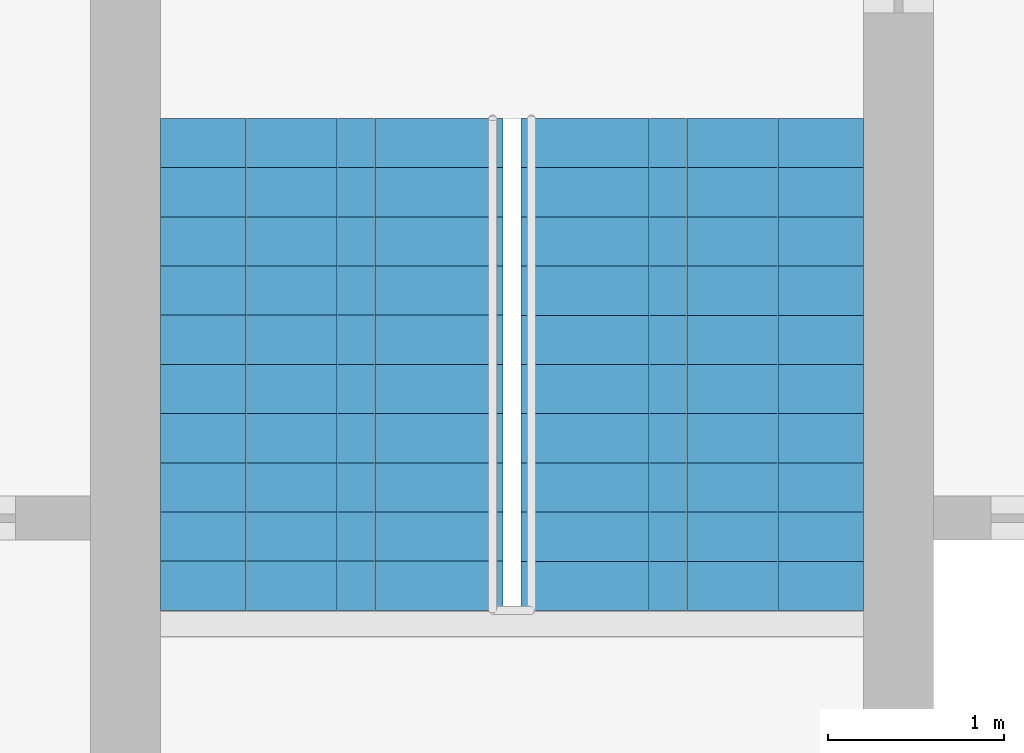
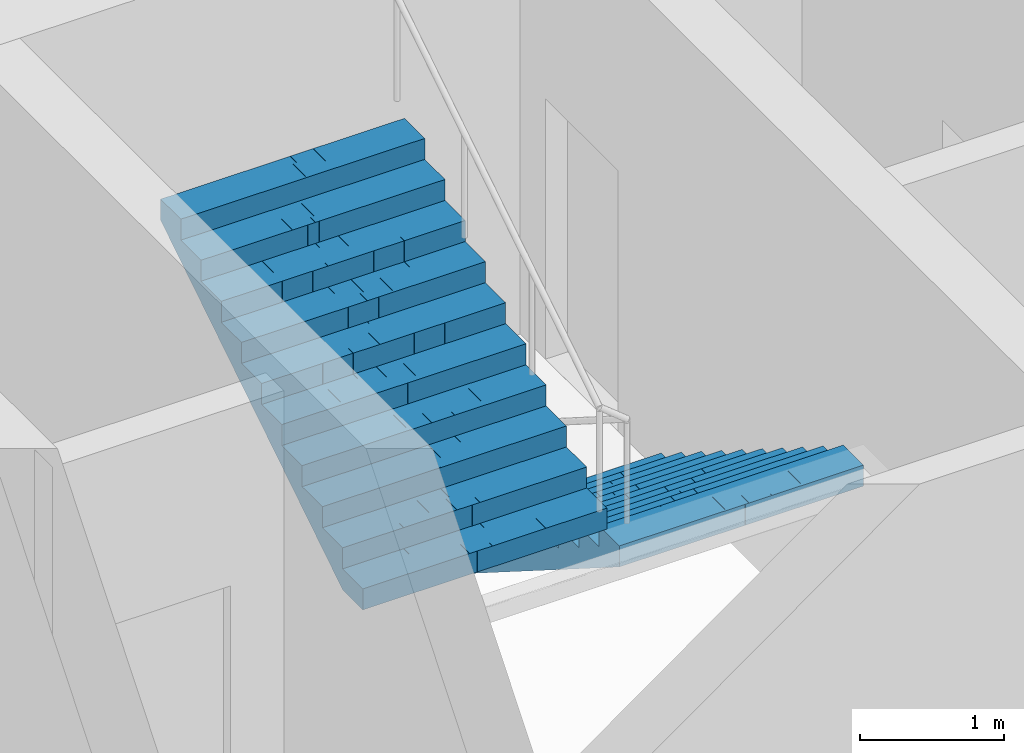
# One storey, part 21 of 22: 2 stair flights, 1 element without a shape of its own.
"""IFC4 building model written with IfcOpenShell, lengths in metres."""

from ifc_helpers import new_model, si_unit, direction, frame, origin, place, context, subcontext, project, spatial, polyline, outline, extrude, material, type_object, element, aggregate, save


model = new_model("IFC4")

# Units and contexts
model_context = context("Model", 3, precision=1e-05, world=origin(), true_north=direction((0.0, 1.0)))
body_context = subcontext(model_context, "Body", "Model", "MODEL_VIEW")
ifc_project = project(units=[si_unit("LENGTHUNIT", "METRE"), si_unit("AREAUNIT", "SQUARE_METRE"), si_unit("VOLUMEUNIT", "CUBIC_METRE"), si_unit("PLANEANGLEUNIT", "RADIAN"), si_unit("MASSUNIT", "GRAM", prefix="KILO")], contexts=[model_context])

# Site, building, storey
site_placement = place(None, origin())
site = spatial("IfcSite", under=ifc_project, at=site_placement, CompositionType="ELEMENT")
building_placement = place(site_placement, origin())
building = spatial("IfcBuilding", under=site, at=building_placement, Name="Mizan Broadcast Tower", CompositionType="ELEMENT")
storey_placement = place(building_placement, frame((0.0, 0.0, 59.10009765625)))
storey = spatial("IfcBuildingStorey", under=building, at=storey_placement, Name="L11", CompositionType="ELEMENT", Elevation=59.10009765625)

# Stair, stair flights
ifc_material_1 = material(Name="Concrete C40/50", Category="concrete")
stair_type = type_object("IfcStairType", Name="EXIT STAIR", PredefinedType="HALF_TURN_STAIR", material=ifc_material_1)
stair_placement = place(storey_placement, origin())
stair = element("IfcStair", 1, at=stair_placement, inside=storey, type_object=stair_type, Name="Stair B L11", PredefinedType="HALF_TURN_STAIR")
ifc_material_2 = material(Name="Concrete C40/50", Category="concrete")
stair_flight_type = type_object("IfcStairFlightType", Name="EXIT STAIR FLIGHT", PredefinedType="STRAIGHT", material=ifc_material_2)
stair_flight_1_placement = place(storey_placement, frame((1.02490234375, 7.89990234375, 0.0), z_axis=(0.0, 0.0, 1.0), x_axis=(0.0, -1.0, 0.0)))
stair_flight_1 = element("IfcStairFlight", 2, at=stair_flight_1_placement, type_object=stair_flight_type, Name="B flight 1", NumberOfRisers=11, NumberOfTreads=10, PredefinedType="STRAIGHT", RiserHeight=0.177272727, TreadLength=0.28, context=body_context, shape_type="SweptSolid", body=[
    extrude(outline(polyline([(0.0, 0.0), (0.0, 0.17724609375), (0.280029296875, 0.17724609375), (0.280029296875, 0.3544921875), (0.56005859375, 0.3544921875), (0.56005859375, 0.53173828125), (0.840087890625, 0.53173828125), (0.840087890625, 0.708984375), (1.1201171875, 0.708984375), (1.1201171875, 0.886474609375), (1.39990234375, 0.886474609375), (1.39990234375, 1.063720703125), (1.679931640625, 1.063720703125), (1.679931640625, 1.240966796875), (1.9599609375, 1.240966796875), (1.9599609375, 1.418212890625), (2.239990234375, 1.418212890625), (2.239990234375, 1.595458984375), (2.52001953125, 1.595458984375), (2.52001953125, 1.772705078125), (2.800048828125, 1.772705078125), (2.800048828125, 1.949951171875), (2.800048828125, 1.59521484375), (0.2802734375, 0.0), (0.0, 0.0)])), frame((0.0, 0.97509765625, 0.0), z_axis=(0.0, -1.0, 0.0), x_axis=(1.0, 0.0, 0.0)), (0.0, 0.0, 1.0), 0.4873046875),
    extrude(outline(polyline([(0.0, 0.0), (0.0, 0.17724609375), (0.280029296875, 0.17724609375), (0.280029296875, 0.3544921875), (0.56005859375, 0.3544921875), (0.56005859375, 0.53173828125), (0.840087890625, 0.53173828125), (0.840087890625, 0.708984375), (1.1201171875, 0.708984375), (1.1201171875, 0.886474609375), (1.39990234375, 0.886474609375), (1.39990234375, 1.063720703125), (1.679931640625, 1.063720703125), (1.679931640625, 1.240966796875), (1.9599609375, 1.240966796875), (1.9599609375, 1.418212890625), (2.239990234375, 1.418212890625), (2.239990234375, 1.595458984375), (2.52001953125, 1.595458984375), (2.52001953125, 1.772705078125), (2.800048828125, 1.772705078125), (2.800048828125, 1.949951171875), (2.800048828125, 1.59521484375), (0.2802734375, 0.0), (0.0, 0.0)])), frame((0.0, 0.4873046875, 0.0), z_axis=(0.0, -1.0, 0.0), x_axis=(1.0, 0.0, 0.0)), (0.0, 0.0, 1.0), 0.2431640625),
    extrude(outline(polyline([(0.0, 0.0), (0.0, 0.17724609375), (0.280029296875, 0.17724609375), (0.280029296875, 0.3544921875), (0.56005859375, 0.3544921875), (0.56005859375, 0.53173828125), (0.840087890625, 0.53173828125), (0.840087890625, 0.708984375), (1.1201171875, 0.708984375), (1.1201171875, 0.886474609375), (1.39990234375, 0.886474609375), (1.39990234375, 1.063720703125), (1.679931640625, 1.063720703125), (1.679931640625, 1.240966796875), (1.9599609375, 1.240966796875), (1.9599609375, 1.418212890625), (2.239990234375, 1.418212890625), (2.239990234375, 1.595458984375), (2.52001953125, 1.595458984375), (2.52001953125, 1.772705078125), (2.800048828125, 1.772705078125), (2.800048828125, 1.949951171875), (2.800048828125, 1.59521484375), (0.2802734375, 0.0), (0.0, 0.0)])), frame((0.0, 0.24365234375, 0.0), z_axis=(0.0, -1.0, 0.0), x_axis=(1.0, 0.0, 0.0)), (0.0, 0.0, 1.0), 0.121337890625),
    extrude(outline(polyline([(0.0, 0.0), (0.0, 0.17724609375), (0.280029296875, 0.17724609375), (0.280029296875, 0.3544921875), (0.56005859375, 0.3544921875), (0.56005859375, 0.53173828125), (0.840087890625, 0.53173828125), (0.840087890625, 0.708984375), (1.1201171875, 0.708984375), (1.1201171875, 0.886474609375), (1.39990234375, 0.886474609375), (1.39990234375, 1.063720703125), (1.679931640625, 1.063720703125), (1.679931640625, 1.240966796875), (1.9599609375, 1.240966796875), (1.9599609375, 1.418212890625), (2.239990234375, 1.418212890625), (2.239990234375, 1.595458984375), (2.52001953125, 1.595458984375), (2.52001953125, 1.772705078125), (2.800048828125, 1.772705078125), (2.800048828125, 1.949951171875), (2.800048828125, 1.59521484375), (0.2802734375, 0.0), (0.0, 0.0)])), frame((0.0, 0.121826171875, 0.0), z_axis=(0.0, -1.0, 0.0), x_axis=(1.0, 0.0, 0.0)), (0.0, 0.0, 1.0), 0.060546875),
    extrude(outline(polyline([(0.0, 0.0), (0.0, 0.17724609375), (0.280029296875, 0.17724609375), (0.280029296875, 0.3544921875), (0.56005859375, 0.3544921875), (0.56005859375, 0.53173828125), (0.840087890625, 0.53173828125), (0.840087890625, 0.708984375), (1.1201171875, 0.708984375), (1.1201171875, 0.886474609375), (1.39990234375, 0.886474609375), (1.39990234375, 1.063720703125), (1.679931640625, 1.063720703125), (1.679931640625, 1.240966796875), (1.9599609375, 1.240966796875), (1.9599609375, 1.418212890625), (2.239990234375, 1.418212890625), (2.239990234375, 1.595458984375), (2.52001953125, 1.595458984375), (2.52001953125, 1.772705078125), (2.800048828125, 1.772705078125), (2.800048828125, 1.949951171875), (2.800048828125, 1.59521484375), (0.2802734375, 0.0), (0.0, 0.0)])), frame((0.0, 0.060791015625, 0.0), z_axis=(0.0, -1.0, 0.0), x_axis=(1.0, 0.0, 0.0)), (0.0, 0.0, 1.0), 0.030029296875),
    extrude(outline(polyline([(0.0, 0.0), (0.0, 0.17724609375), (0.280029296875, 0.17724609375), (0.280029296875, 0.3544921875), (0.56005859375, 0.3544921875), (0.56005859375, 0.53173828125), (0.840087890625, 0.53173828125), (0.840087890625, 0.708984375), (1.1201171875, 0.708984375), (1.1201171875, 0.886474609375), (1.39990234375, 0.886474609375), (1.39990234375, 1.063720703125), (1.679931640625, 1.063720703125), (1.679931640625, 1.240966796875), (1.9599609375, 1.240966796875), (1.9599609375, 1.418212890625), (2.239990234375, 1.418212890625), (2.239990234375, 1.595458984375), (2.52001953125, 1.595458984375), (2.52001953125, 1.772705078125), (2.800048828125, 1.772705078125), (2.800048828125, 1.949951171875), (2.800048828125, 1.59521484375), (0.2802734375, 0.0), (0.0, 0.0)])), frame((0.0, 0.0302734375, 0.0), z_axis=(0.0, -1.0, 0.0), x_axis=(1.0, 0.0, 0.0)), (0.0, 0.0, 1.0), 0.060302734375),
    extrude(outline(polyline([(0.0, 0.0), (0.0, 0.17724609375), (0.280029296875, 0.17724609375), (0.280029296875, 0.3544921875), (0.56005859375, 0.3544921875), (0.56005859375, 0.53173828125), (0.840087890625, 0.53173828125), (0.840087890625, 0.708984375), (1.1201171875, 0.708984375), (1.1201171875, 0.886474609375), (1.39990234375, 0.886474609375), (1.39990234375, 1.063720703125), (1.679931640625, 1.063720703125), (1.679931640625, 1.240966796875), (1.9599609375, 1.240966796875), (1.9599609375, 1.418212890625), (2.239990234375, 1.418212890625), (2.239990234375, 1.595458984375), (2.52001953125, 1.595458984375), (2.52001953125, 1.772705078125), (2.800048828125, 1.772705078125), (2.800048828125, 1.949951171875), (2.800048828125, 1.59521484375), (0.2802734375, 0.0), (0.0, 0.0)])), frame((0.0, -0.030517578125, 0.0), z_axis=(0.0, -1.0, 0.0), x_axis=(1.0, 0.0, 0.0)), (0.0, 0.0, 1.0), 0.030029296875),
    extrude(outline(polyline([(0.0, 0.0), (0.0, 0.17724609375), (0.280029296875, 0.17724609375), (0.280029296875, 0.3544921875), (0.56005859375, 0.3544921875), (0.56005859375, 0.53173828125), (0.840087890625, 0.53173828125), (0.840087890625, 0.708984375), (1.1201171875, 0.708984375), (1.1201171875, 0.886474609375), (1.39990234375, 0.886474609375), (1.39990234375, 1.063720703125), (1.679931640625, 1.063720703125), (1.679931640625, 1.240966796875), (1.9599609375, 1.240966796875), (1.9599609375, 1.418212890625), (2.239990234375, 1.418212890625), (2.239990234375, 1.595458984375), (2.52001953125, 1.595458984375), (2.52001953125, 1.772705078125), (2.800048828125, 1.772705078125), (2.800048828125, 1.949951171875), (2.800048828125, 1.59521484375), (0.2802734375, 0.0), (0.0, 0.0)])), frame((0.0, -0.06103515625, 0.0), z_axis=(0.0, -1.0, 0.0), x_axis=(1.0, 0.0, 0.0)), (0.0, 0.0, 1.0), 0.060546875),
    extrude(outline(polyline([(0.0, 0.0), (0.0, 0.17724609375), (0.280029296875, 0.17724609375), (0.280029296875, 0.3544921875), (0.56005859375, 0.3544921875), (0.56005859375, 0.53173828125), (0.840087890625, 0.53173828125), (0.840087890625, 0.708984375), (1.1201171875, 0.708984375), (1.1201171875, 0.886474609375), (1.39990234375, 0.886474609375), (1.39990234375, 1.063720703125), (1.679931640625, 1.063720703125), (1.679931640625, 1.240966796875), (1.9599609375, 1.240966796875), (1.9599609375, 1.418212890625), (2.239990234375, 1.418212890625), (2.239990234375, 1.595458984375), (2.52001953125, 1.595458984375), (2.52001953125, 1.772705078125), (2.800048828125, 1.772705078125), (2.800048828125, 1.949951171875), (2.800048828125, 1.59521484375), (0.2802734375, 0.0), (0.0, 0.0)])), frame((0.0, -0.1220703125, 0.0), z_axis=(0.0, -1.0, 0.0), x_axis=(1.0, 0.0, 0.0)), (0.0, 0.0, 1.0), 0.121337890625),
    extrude(outline(polyline([(0.0, 0.0), (0.0, 0.17724609375), (0.280029296875, 0.17724609375), (0.280029296875, 0.3544921875), (0.56005859375, 0.3544921875), (0.56005859375, 0.53173828125), (0.840087890625, 0.53173828125), (0.840087890625, 0.708984375), (1.1201171875, 0.708984375), (1.1201171875, 0.886474609375), (1.39990234375, 0.886474609375), (1.39990234375, 1.063720703125), (1.679931640625, 1.063720703125), (1.679931640625, 1.240966796875), (1.9599609375, 1.240966796875), (1.9599609375, 1.418212890625), (2.239990234375, 1.418212890625), (2.239990234375, 1.595458984375), (2.52001953125, 1.595458984375), (2.52001953125, 1.772705078125), (2.800048828125, 1.772705078125), (2.800048828125, 1.949951171875), (2.800048828125, 1.59521484375), (0.2802734375, 0.0), (0.0, 0.0)])), frame((0.0, -0.243896484375, 0.0), z_axis=(0.0, -1.0, 0.0), x_axis=(1.0, 0.0, 0.0)), (0.0, 0.0, 1.0), 0.2431640625),
    extrude(outline(polyline([(0.0, 0.0), (0.0, 0.17724609375), (0.280029296875, 0.17724609375), (0.280029296875, 0.3544921875), (0.56005859375, 0.3544921875), (0.56005859375, 0.53173828125), (0.840087890625, 0.53173828125), (0.840087890625, 0.708984375), (1.1201171875, 0.708984375), (1.1201171875, 0.886474609375), (1.39990234375, 0.886474609375), (1.39990234375, 1.063720703125), (1.679931640625, 1.063720703125), (1.679931640625, 1.240966796875), (1.9599609375, 1.240966796875), (1.9599609375, 1.418212890625), (2.239990234375, 1.418212890625), (2.239990234375, 1.595458984375), (2.52001953125, 1.595458984375), (2.52001953125, 1.772705078125), (2.800048828125, 1.772705078125), (2.800048828125, 1.949951171875), (2.800048828125, 1.59521484375), (0.2802734375, 0.0), (0.0, 0.0)])), frame((0.0, -0.487548828125, 0.0), z_axis=(0.0, -1.0, 0.0), x_axis=(1.0, 0.0, 0.0)), (0.0, 0.0, 1.0), 0.4873046875),
])
stair_flight_2_placement = place(storey_placement, frame((-1.02490234375, 5.10009765625, 1.949951171875), z_axis=(0.0, 0.0, 1.0), x_axis=(0.0, 1.0, 0.0)))
stair_flight_2 = element("IfcStairFlight", 3, at=stair_flight_2_placement, type_object=stair_flight_type, Name="B flight 2", NumberOfRisers=11, NumberOfTreads=10, PredefinedType="STRAIGHT", RiserHeight=0.177272727, TreadLength=0.28, context=body_context, shape_type="SweptSolid", body=[
    extrude(outline(polyline([(0.0, 0.0), (0.0, 0.17724609375), (0.280029296875, 0.17724609375), (0.280029296875, 0.3544921875), (0.56005859375, 0.3544921875), (0.56005859375, 0.53173828125), (0.840087890625, 0.53173828125), (0.840087890625, 0.708984375), (1.1201171875, 0.708984375), (1.1201171875, 0.886474609375), (1.39990234375, 0.886474609375), (1.39990234375, 1.063720703125), (1.679931640625, 1.063720703125), (1.679931640625, 1.240966796875), (1.9599609375, 1.240966796875), (1.9599609375, 1.418212890625), (2.239990234375, 1.418212890625), (2.239990234375, 1.595458984375), (2.52001953125, 1.595458984375), (2.52001953125, 1.772705078125), (2.800048828125, 1.772705078125), (2.800048828125, 1.949951171875), (2.800048828125, 1.59521484375), (0.2802734375, 0.0), (0.0, 0.0)])), frame((0.0, 0.97509765625, 0.0), z_axis=(0.0, -1.0, 0.0), x_axis=(1.0, 0.0, 0.0)), (0.0, 0.0, 1.0), 0.4873046875),
    extrude(outline(polyline([(0.0, 0.0), (0.0, 0.17724609375), (0.280029296875, 0.17724609375), (0.280029296875, 0.3544921875), (0.56005859375, 0.3544921875), (0.56005859375, 0.53173828125), (0.840087890625, 0.53173828125), (0.840087890625, 0.708984375), (1.1201171875, 0.708984375), (1.1201171875, 0.886474609375), (1.39990234375, 0.886474609375), (1.39990234375, 1.063720703125), (1.679931640625, 1.063720703125), (1.679931640625, 1.240966796875), (1.9599609375, 1.240966796875), (1.9599609375, 1.418212890625), (2.239990234375, 1.418212890625), (2.239990234375, 1.595458984375), (2.52001953125, 1.595458984375), (2.52001953125, 1.772705078125), (2.800048828125, 1.772705078125), (2.800048828125, 1.949951171875), (2.800048828125, 1.59521484375), (0.2802734375, 0.0), (0.0, 0.0)])), frame((0.0, 0.4873046875, 0.0), z_axis=(0.0, -1.0, 0.0), x_axis=(1.0, 0.0, 0.0)), (0.0, 0.0, 1.0), 0.2431640625),
    extrude(outline(polyline([(0.0, 0.0), (0.0, 0.17724609375), (0.280029296875, 0.17724609375), (0.280029296875, 0.3544921875), (0.56005859375, 0.3544921875), (0.56005859375, 0.53173828125), (0.840087890625, 0.53173828125), (0.840087890625, 0.708984375), (1.1201171875, 0.708984375), (1.1201171875, 0.886474609375), (1.39990234375, 0.886474609375), (1.39990234375, 1.063720703125), (1.679931640625, 1.063720703125), (1.679931640625, 1.240966796875), (1.9599609375, 1.240966796875), (1.9599609375, 1.418212890625), (2.239990234375, 1.418212890625), (2.239990234375, 1.595458984375), (2.52001953125, 1.595458984375), (2.52001953125, 1.772705078125), (2.800048828125, 1.772705078125), (2.800048828125, 1.949951171875), (2.800048828125, 1.59521484375), (0.2802734375, 0.0), (0.0, 0.0)])), frame((0.0, 0.24365234375, 0.0), z_axis=(0.0, -1.0, 0.0), x_axis=(1.0, 0.0, 0.0)), (0.0, 0.0, 1.0), 0.121337890625),
    extrude(outline(polyline([(0.0, 0.0), (0.0, 0.17724609375), (0.280029296875, 0.17724609375), (0.280029296875, 0.3544921875), (0.56005859375, 0.3544921875), (0.56005859375, 0.53173828125), (0.840087890625, 0.53173828125), (0.840087890625, 0.708984375), (1.1201171875, 0.708984375), (1.1201171875, 0.886474609375), (1.39990234375, 0.886474609375), (1.39990234375, 1.063720703125), (1.679931640625, 1.063720703125), (1.679931640625, 1.240966796875), (1.9599609375, 1.240966796875), (1.9599609375, 1.418212890625), (2.239990234375, 1.418212890625), (2.239990234375, 1.595458984375), (2.52001953125, 1.595458984375), (2.52001953125, 1.772705078125), (2.800048828125, 1.772705078125), (2.800048828125, 1.949951171875), (2.800048828125, 1.59521484375), (0.2802734375, 0.0), (0.0, 0.0)])), frame((0.0, 0.121826171875, 0.0), z_axis=(0.0, -1.0, 0.0), x_axis=(1.0, 0.0, 0.0)), (0.0, 0.0, 1.0), 0.060546875),
    extrude(outline(polyline([(0.0, 0.0), (0.0, 0.17724609375), (0.280029296875, 0.17724609375), (0.280029296875, 0.3544921875), (0.56005859375, 0.3544921875), (0.56005859375, 0.53173828125), (0.840087890625, 0.53173828125), (0.840087890625, 0.708984375), (1.1201171875, 0.708984375), (1.1201171875, 0.886474609375), (1.39990234375, 0.886474609375), (1.39990234375, 1.063720703125), (1.679931640625, 1.063720703125), (1.679931640625, 1.240966796875), (1.9599609375, 1.240966796875), (1.9599609375, 1.418212890625), (2.239990234375, 1.418212890625), (2.239990234375, 1.595458984375), (2.52001953125, 1.595458984375), (2.52001953125, 1.772705078125), (2.800048828125, 1.772705078125), (2.800048828125, 1.949951171875), (2.800048828125, 1.59521484375), (0.2802734375, 0.0), (0.0, 0.0)])), frame((0.0, 0.060791015625, 0.0), z_axis=(0.0, -1.0, 0.0), x_axis=(1.0, 0.0, 0.0)), (0.0, 0.0, 1.0), 0.030029296875),
    extrude(outline(polyline([(0.0, 0.0), (0.0, 0.17724609375), (0.280029296875, 0.17724609375), (0.280029296875, 0.3544921875), (0.56005859375, 0.3544921875), (0.56005859375, 0.53173828125), (0.840087890625, 0.53173828125), (0.840087890625, 0.708984375), (1.1201171875, 0.708984375), (1.1201171875, 0.886474609375), (1.39990234375, 0.886474609375), (1.39990234375, 1.063720703125), (1.679931640625, 1.063720703125), (1.679931640625, 1.240966796875), (1.9599609375, 1.240966796875), (1.9599609375, 1.418212890625), (2.239990234375, 1.418212890625), (2.239990234375, 1.595458984375), (2.52001953125, 1.595458984375), (2.52001953125, 1.772705078125), (2.800048828125, 1.772705078125), (2.800048828125, 1.949951171875), (2.800048828125, 1.59521484375), (0.2802734375, 0.0), (0.0, 0.0)])), frame((0.0, 0.0302734375, 0.0), z_axis=(0.0, -1.0, 0.0), x_axis=(1.0, 0.0, 0.0)), (0.0, 0.0, 1.0), 0.060302734375),
    extrude(outline(polyline([(0.0, 0.0), (0.0, 0.17724609375), (0.280029296875, 0.17724609375), (0.280029296875, 0.3544921875), (0.56005859375, 0.3544921875), (0.56005859375, 0.53173828125), (0.840087890625, 0.53173828125), (0.840087890625, 0.708984375), (1.1201171875, 0.708984375), (1.1201171875, 0.886474609375), (1.39990234375, 0.886474609375), (1.39990234375, 1.063720703125), (1.679931640625, 1.063720703125), (1.679931640625, 1.240966796875), (1.9599609375, 1.240966796875), (1.9599609375, 1.418212890625), (2.239990234375, 1.418212890625), (2.239990234375, 1.595458984375), (2.52001953125, 1.595458984375), (2.52001953125, 1.772705078125), (2.800048828125, 1.772705078125), (2.800048828125, 1.949951171875), (2.800048828125, 1.59521484375), (0.2802734375, 0.0), (0.0, 0.0)])), frame((0.0, -0.030517578125, 0.0), z_axis=(0.0, -1.0, 0.0), x_axis=(1.0, 0.0, 0.0)), (0.0, 0.0, 1.0), 0.030029296875),
    extrude(outline(polyline([(0.0, 0.0), (0.0, 0.17724609375), (0.280029296875, 0.17724609375), (0.280029296875, 0.3544921875), (0.56005859375, 0.3544921875), (0.56005859375, 0.53173828125), (0.840087890625, 0.53173828125), (0.840087890625, 0.708984375), (1.1201171875, 0.708984375), (1.1201171875, 0.886474609375), (1.39990234375, 0.886474609375), (1.39990234375, 1.063720703125), (1.679931640625, 1.063720703125), (1.679931640625, 1.240966796875), (1.9599609375, 1.240966796875), (1.9599609375, 1.418212890625), (2.239990234375, 1.418212890625), (2.239990234375, 1.595458984375), (2.52001953125, 1.595458984375), (2.52001953125, 1.772705078125), (2.800048828125, 1.772705078125), (2.800048828125, 1.949951171875), (2.800048828125, 1.59521484375), (0.2802734375, 0.0), (0.0, 0.0)])), frame((0.0, -0.06103515625, 0.0), z_axis=(0.0, -1.0, 0.0), x_axis=(1.0, 0.0, 0.0)), (0.0, 0.0, 1.0), 0.060546875),
    extrude(outline(polyline([(0.0, 0.0), (0.0, 0.17724609375), (0.280029296875, 0.17724609375), (0.280029296875, 0.3544921875), (0.56005859375, 0.3544921875), (0.56005859375, 0.53173828125), (0.840087890625, 0.53173828125), (0.840087890625, 0.708984375), (1.1201171875, 0.708984375), (1.1201171875, 0.886474609375), (1.39990234375, 0.886474609375), (1.39990234375, 1.063720703125), (1.679931640625, 1.063720703125), (1.679931640625, 1.240966796875), (1.9599609375, 1.240966796875), (1.9599609375, 1.418212890625), (2.239990234375, 1.418212890625), (2.239990234375, 1.595458984375), (2.52001953125, 1.595458984375), (2.52001953125, 1.772705078125), (2.800048828125, 1.772705078125), (2.800048828125, 1.949951171875), (2.800048828125, 1.59521484375), (0.2802734375, 0.0), (0.0, 0.0)])), frame((0.0, -0.1220703125, 0.0), z_axis=(0.0, -1.0, 0.0), x_axis=(1.0, 0.0, 0.0)), (0.0, 0.0, 1.0), 0.121337890625),
    extrude(outline(polyline([(0.0, 0.0), (0.0, 0.17724609375), (0.280029296875, 0.17724609375), (0.280029296875, 0.3544921875), (0.56005859375, 0.3544921875), (0.56005859375, 0.53173828125), (0.840087890625, 0.53173828125), (0.840087890625, 0.708984375), (1.1201171875, 0.708984375), (1.1201171875, 0.886474609375), (1.39990234375, 0.886474609375), (1.39990234375, 1.063720703125), (1.679931640625, 1.063720703125), (1.679931640625, 1.240966796875), (1.9599609375, 1.240966796875), (1.9599609375, 1.418212890625), (2.239990234375, 1.418212890625), (2.239990234375, 1.595458984375), (2.52001953125, 1.595458984375), (2.52001953125, 1.772705078125), (2.800048828125, 1.772705078125), (2.800048828125, 1.949951171875), (2.800048828125, 1.59521484375), (0.2802734375, 0.0), (0.0, 0.0)])), frame((0.0, -0.243896484375, 0.0), z_axis=(0.0, -1.0, 0.0), x_axis=(1.0, 0.0, 0.0)), (0.0, 0.0, 1.0), 0.2431640625),
    extrude(outline(polyline([(0.0, 0.0), (0.0, 0.17724609375), (0.280029296875, 0.17724609375), (0.280029296875, 0.3544921875), (0.56005859375, 0.3544921875), (0.56005859375, 0.53173828125), (0.840087890625, 0.53173828125), (0.840087890625, 0.708984375), (1.1201171875, 0.708984375), (1.1201171875, 0.886474609375), (1.39990234375, 0.886474609375), (1.39990234375, 1.063720703125), (1.679931640625, 1.063720703125), (1.679931640625, 1.240966796875), (1.9599609375, 1.240966796875), (1.9599609375, 1.418212890625), (2.239990234375, 1.418212890625), (2.239990234375, 1.595458984375), (2.52001953125, 1.595458984375), (2.52001953125, 1.772705078125), (2.800048828125, 1.772705078125), (2.800048828125, 1.949951171875), (2.800048828125, 1.59521484375), (0.2802734375, 0.0), (0.0, 0.0)])), frame((0.0, -0.487548828125, 0.0), z_axis=(0.0, -1.0, 0.0), x_axis=(1.0, 0.0, 0.0)), (0.0, 0.0, 1.0), 0.4873046875),
])
aggregate(stair, [stair_flight_1, stair_flight_2])

save(model, "model.ifc")
